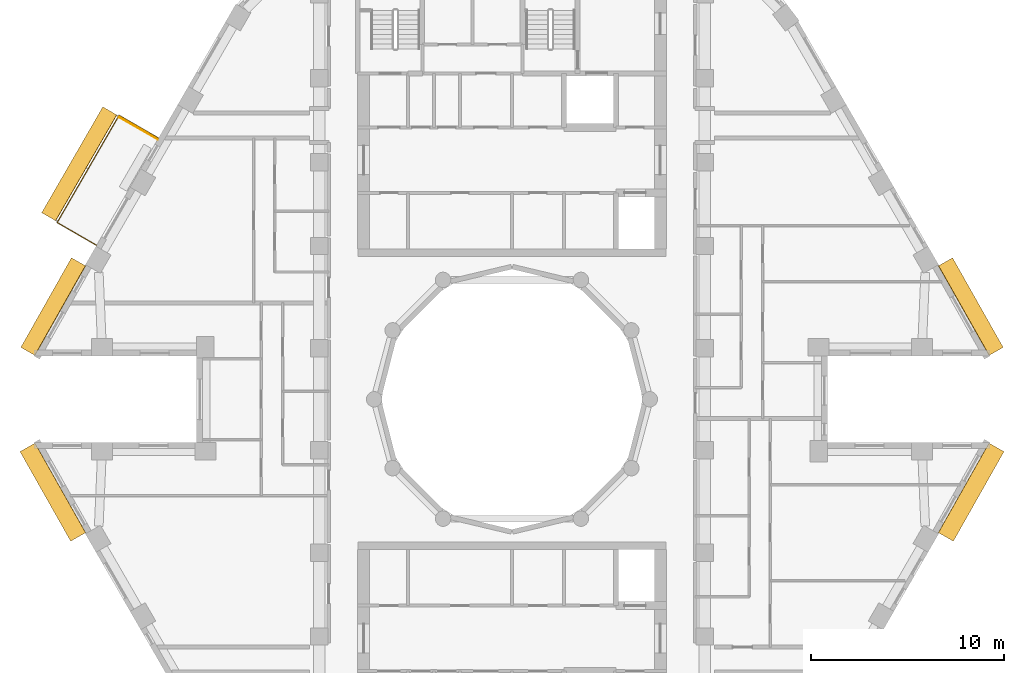
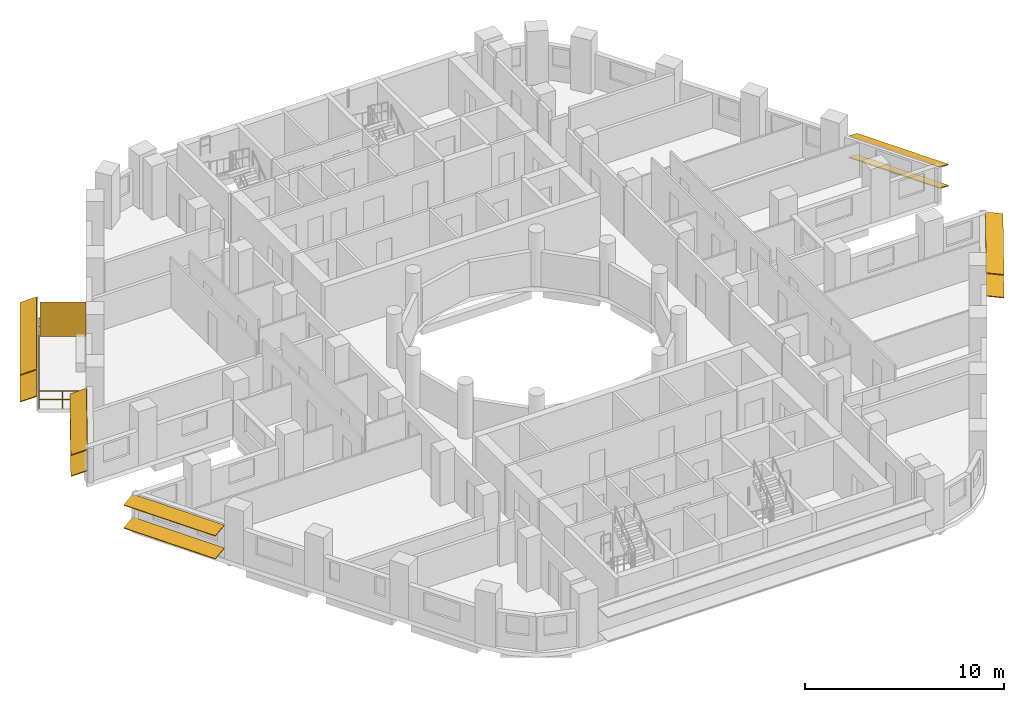
# One storey, part 12 of 13: 11 shading devices, 1 railing.
"""IFC4 building model written with IfcOpenShell, lengths in metres."""

import ifcopenshell
import ifcopenshell.guid

model = None  # the IFC model being written
_history = None  # IfcOwnerHistory: only IFC2X3 demands one
_inside = {}  # id of a spatial element -> (the spatial element, [elements in it])
_under = {}  # id of a project, library or spatial element -> (it, [spatial elements below it])
_declared = {}  # id of a project -> (the project, [libraries it declares])
_typed = {}  # id of a type object -> (the type object, [elements of that type])
_made_of = {}  # id of a material, layer set ... -> (it, [elements and type objects made of it])


def new_model(schema):
    """Start an empty IFC model of exactly this schema.

    Asked for "IFC4X3", IfcOpenShell would pick the latest addendum, in which some entities
    have other attributes; the version numbers below select the first issue.
    IFC2X3 requires an IfcOwnerHistory on every rooted entity: one is made here for all.
    """
    global model, _history
    if schema == "IFC4X3":
        model = ifcopenshell.file(schema_version=(4, 3, 0, 0))
    else:
        model = ifcopenshell.file(schema=schema)
    _inside.clear()
    _under.clear()
    _declared.clear()
    _typed.clear()
    _made_of.clear()
    _history = None
    if model.schema == "IFC2X3":
        org = make("IfcOrganization", Name="unknown")
        user = make(
            "IfcPersonAndOrganization",
            ThePerson=make("IfcPerson", FamilyName="unknown"),
            TheOrganization=org,
        )
        app = make(
            "IfcApplication",
            ApplicationDeveloper=org,
            Version="unknown",
            ApplicationFullName="unknown",
            ApplicationIdentifier="unknown",
        )
        _history = make(
            "IfcOwnerHistory",
            OwningUser=user,
            OwningApplication=app,
            ChangeAction="ADDED",
            CreationDate=0,
        )
    return model


def make(cls, **values):
    """One entity of the class cls with the attributes given. An attribute that is None is left unset."""
    return model.create_entity(
        cls, **{name: value for name, value in values.items() if value is not None}
    )


def rooted(cls, **values):
    """An entity with a GlobalId (a new one), such as an element, a storey or a relation."""
    return make(cls, GlobalId=ifcopenshell.guid.new(), OwnerHistory=_history, **values)


def si_unit(unit_type, name, prefix=None):
    """IfcSIUnit, for example si_unit("LENGTHUNIT", "METRE", prefix="MILLI")."""
    return make("IfcSIUnit", UnitType=unit_type, Prefix=prefix, Name=name)


def assignment(units):
    """IfcUnitAssignment: the units of a project."""
    return None if units is None else make("IfcUnitAssignment", Units=units)


def point(xyz):
    """IfcCartesianPoint."""
    return None if xyz is None else make("IfcCartesianPoint", Coordinates=xyz)


def direction(xyz):
    """IfcDirection."""
    return None if xyz is None else make("IfcDirection", DirectionRatios=xyz)


def frame(location, z_axis=None, x_axis=None):
    """IfcAxis2Placement3D, a coordinate frame: its origin and axes. An axis left out is left unset."""
    return make(
        "IfcAxis2Placement3D",
        Location=point(location),
        Axis=direction(z_axis),
        RefDirection=direction(x_axis),
    )


def frame_2d(location, x_axis=None):
    """IfcAxis2Placement2D, a coordinate frame in the plane: its origin and x axis."""
    return make(
        "IfcAxis2Placement2D", Location=point(location), RefDirection=direction(x_axis)
    )


def origin():
    """The frame at (0, 0, 0) with its axes left unset."""
    return frame((0.0, 0.0, 0.0))


def origin_2d():
    """The frame at (0, 0) in the plane with its x axis left unset."""
    return frame_2d((0.0, 0.0))


def place(relative_to, where):
    """IfcLocalPlacement: puts the frame where relative to a parent placement (None: the world)."""
    return make(
        "IfcLocalPlacement", PlacementRelTo=relative_to, RelativePlacement=where
    )


def context(
    kind, dimensions, precision=None, world=None, true_north=None, identifier=None
):
    """IfcGeometricRepresentationContext, for example the 3D "Model" context."""
    return make(
        "IfcGeometricRepresentationContext",
        ContextIdentifier=identifier,
        ContextType=kind,
        CoordinateSpaceDimension=dimensions,
        Precision=precision,
        WorldCoordinateSystem=world,
        TrueNorth=true_north,
    )


def subcontext(parent, identifier, kind, view, scale=None):
    """IfcGeometricRepresentationSubContext, for example "Body" below "Model"."""
    return make(
        "IfcGeometricRepresentationSubContext",
        ContextIdentifier=identifier,
        ContextType=kind,
        ParentContext=parent,
        TargetScale=scale,
        TargetView=view,
    )


def project(units=None, contexts=None):
    """IfcProject with its units and contexts."""
    return rooted(
        "IfcProject",
        Name="project",
        RepresentationContexts=contexts,
        UnitsInContext=assignment(units),
    )


def spatial(cls, under=None, at=None, **own):
    """A site, building, storey or space (cls), placed at a placement, below another one or the project."""
    s = rooted(cls, ObjectPlacement=at, **own)
    if under is not None:
        _under.setdefault(under.id(), (under, []))[1].append(s)
    return s


def profile(cls, at=None, kind="AREA", **sizes):
    """A parametric profile (cls). Its sizes go by their IFC names, for example OverallWidth=200.0."""
    return make(cls, ProfileType=kind, Position=at, **sizes)


def rectangle(**sizes):
    """IfcRectangleProfileDef."""
    return profile("IfcRectangleProfileDef", **sizes)


def circle(**sizes):
    """IfcCircleProfileDef."""
    return profile("IfcCircleProfileDef", **sizes)


def extrude(swept, where, along, depth):
    """IfcExtrudedAreaSolid: the profile swept, set in the frame where, extruded along a direction by depth."""
    return make(
        "IfcExtrudedAreaSolid",
        SweptArea=swept,
        Position=where,
        ExtrudedDirection=direction(along),
        Depth=depth,
    )


def shape(context_of_items, identifier, shape_type, items):
    """IfcShapeRepresentation: the items that make up one representation, for example the "Body"."""
    return make(
        "IfcShapeRepresentation",
        ContextOfItems=context_of_items,
        RepresentationIdentifier=identifier,
        RepresentationType=shape_type,
        Items=items,
    )


def material(Name=None, Category=None):
    """IfcMaterial."""
    return make("IfcMaterial", Name=Name, Category=Category)


def layer(
    of_material, thickness, ventilated=None, Name=None, Category=None, Priority=None
):
    """IfcMaterialLayer: one layer of a wall or slab, of a material (None: an air gap)."""
    return make(
        "IfcMaterialLayer",
        Material=of_material,
        LayerThickness=thickness,
        IsVentilated=ventilated,
        Name=Name,
        Category=Category,
        Priority=Priority,
    )


def layer_set(layers, Name=None):
    """IfcMaterialLayerSet."""
    return make("IfcMaterialLayerSet", MaterialLayers=layers, LayerSetName=Name)


def material_profile(
    of_material, cross_section, Name=None, Category=None, Priority=None
):
    """IfcMaterialProfile: a cross section and its material."""
    return make(
        "IfcMaterialProfile",
        Name=Name,
        Material=of_material,
        Profile=cross_section,
        Priority=Priority,
        Category=Category,
    )


def profile_set(profiles, Name=None, composite=None):
    """IfcMaterialProfileSet."""
    return make(
        "IfcMaterialProfileSet",
        Name=Name,
        MaterialProfiles=profiles,
        CompositeProfile=composite,
    )


def made_of(thing, what):
    """Note that an element or type object is made of a material, layer set ...; save() writes the relation."""
    if what is not None:
        _made_of.setdefault(what.id(), (what, []))[1].append(thing)
    return thing


def type_object(cls, material=None, **own):
    """A type object (cls), such as IfcWallType, which elements share."""
    return made_of(rooted(cls, **own), material)


def element(
    cls,
    number,
    at=None,
    inside=None,
    cuts=None,
    type_object=None,
    material=None,
    context=None,
    identifier="Body",
    shape_type=None,
    held_by="IfcProductDefinitionShape",
    body=None,
    shapes=None,
    **own,
):
    """One element of the class cls, such as IfcWall. Its Tag is "e" and its number.

    at: its placement. inside: the storey or other place that contains it. cuts: it is an
    opening in that element (IfcRelVoidsElement). A single representation is given by context,
    identifier, shape_type and body (its items); several are given by shapes. held_by: the class
    of the entity that holds the representations. save() writes the other relations.
    """
    e = rooted(cls, Tag="e%d" % number, ObjectPlacement=at, **own)
    if body is not None:
        shapes = [shape(context, identifier, shape_type, body)]
    if shapes is not None:
        e.Representation = make(held_by, Representations=shapes)
    if inside is not None:
        _inside.setdefault(inside.id(), (inside, []))[1].append(e)
    if cuts is not None:
        rooted(
            "IfcRelVoidsElement", RelatingBuildingElement=cuts, RelatedOpeningElement=e
        )
    if type_object is not None:
        _typed.setdefault(type_object.id(), (type_object, []))[1].append(e)
    return made_of(e, material)


def aggregate(whole, parts):
    """IfcRelAggregates: a whole, such as a stair, and the parts it consists of."""
    return rooted("IfcRelAggregates", RelatingObject=whole, RelatedObjects=parts)


def save(model, path):
    """Write the relations noted so far, then the file.

    IfcRelAggregates (storeys below a building ...), IfcRelContainedInSpatialStructure (elements
    in a storey), IfcRelDefinesByType, IfcRelAssociatesMaterial and IfcRelDeclares: one each for
    every whole, place, type object, material and project.
    """
    for whole, parts in _under.values():
        aggregate(whole, parts)
    for where, things in _inside.values():
        rooted(
            "IfcRelContainedInSpatialStructure",
            RelatedElements=things,
            RelatingStructure=where,
        )
    for kind, things in _typed.values():
        rooted("IfcRelDefinesByType", RelatedObjects=things, RelatingType=kind)
    for what, things in _made_of.values():
        rooted("IfcRelAssociatesMaterial", RelatedObjects=things, RelatingMaterial=what)
    for by, libraries in _declared.values():
        rooted("IfcRelDeclares", RelatingContext=by, RelatedDefinitions=libraries)
    model.write(path)


model = new_model("IFC4")

# Units and contexts
model_context = context("Model", 3, precision=1e-05, world=origin(), true_north=direction((0.0, 1.0)))
body_context = subcontext(model_context, "Body", "Model", "MODEL_VIEW")
ifc_project = project(units=[si_unit("LENGTHUNIT", "METRE"), si_unit("AREAUNIT", "SQUARE_METRE"), si_unit("VOLUMEUNIT", "CUBIC_METRE"), si_unit("PLANEANGLEUNIT", "RADIAN"), si_unit("MASSUNIT", "GRAM", prefix="KILO")], contexts=[model_context])

# Site, building, storey
site_placement = place(None, origin())
site = spatial("IfcSite", under=ifc_project, at=site_placement, CompositionType="ELEMENT")
building_placement = place(site_placement, origin())
building = spatial("IfcBuilding", under=site, at=building_placement, Name="Nakaniwa Court", CompositionType="ELEMENT")
storey_placement = place(building_placement, frame((0.0, 0.0, 269.10009765625)))
storey = spatial("IfcBuildingStorey", under=building, at=storey_placement, Name="L71", CompositionType="ELEMENT", Elevation=269.10009765625)

# Railing
ifc_material_1 = material(Name="Black powder-coated steel flat bar balustrade S275", Category="steel")
railing_type = type_object("IfcRailingType", Name="Black metal balcony guard 1100", PredefinedType="GUARDRAIL", material=ifc_material_1)
railing_placement = place(storey_placement, frame((61.666015625, 93.544677734375, -0.050048828125)))
element("IfcRailing", 1, at=railing_placement, inside=storey, type_object=railing_type, Name="L71 balcony guard 01", PredefinedType="GUARDRAIL", context=body_context, shape_type="SweptSolid", body=[
    extrude(circle(Radius=0.02392578125, at=origin_2d()), frame((0.0, 0.0, 1.076171875), z_axis=(-0.866051224006, 0.499955275397, 0.0), x_axis=(-0.499955275397, -0.866051224006, 0.0)), (0.0, 0.0, 1.0), 2.360107421875),
    extrude(circle(Radius=0.02392578125, at=origin_2d()), frame((0.0, 0.0, 0.550048828125), z_axis=(-0.866051224006, 0.499955275397, 0.0), x_axis=(-0.499955275397, -0.866051224006, 0.0)), (0.0, 0.0, 1.0), 2.360107421875),
    extrude(circle(Radius=0.02392578125, at=origin_2d()), frame((-2.0439453125, 1.179931640625, 1.076171875), z_axis=(-0.499975954304, -0.866039286129, 0.0), x_axis=(0.866039286129, -0.499975954304, 0.0)), (0.0, 0.0, 1.0), 6.419189453125),
    extrude(circle(Radius=0.02392578125, at=origin_2d()), frame((-2.0439453125, 1.179931640625, 0.550048828125), z_axis=(-0.499975954304, -0.866039286129, 0.0), x_axis=(0.866039286129, -0.499975954304, 0.0)), (0.0, 0.0, 1.0), 6.419189453125),
    extrude(circle(Radius=0.02392578125, at=origin_2d()), frame((-5.25341796875, -4.37939453125, 1.076171875), z_axis=(0.866025363618, -0.50000006957, 0.0), x_axis=(0.50000006957, 0.866025363618, 0.0)), (0.0, 0.0, 1.0), 2.35986328125),
    extrude(circle(Radius=0.02392578125, at=origin_2d()), frame((-5.25341796875, -4.37939453125, 0.550048828125), z_axis=(0.866025363618, -0.50000006957, 0.0), x_axis=(0.50000006957, 0.866025363618, 0.0)), (0.0, 0.0, 1.0), 2.35986328125),
    extrude(circle(Radius=0.02099609375, at=origin_2d()), origin(), (0.0, 0.0, 1.0), 1.052001953125),
    extrude(circle(Radius=0.02099609375, at=origin_2d()), frame((-1.02197265625, 0.58984375, 0.0)), (0.0, 0.0, 1.0), 1.052001953125),
    extrude(circle(Radius=0.02099609375, at=origin_2d()), frame((-2.0439453125, 1.179931640625, 0.0)), (0.0, 0.0, 1.0), 1.052001953125),
    extrude(circle(Radius=0.02099609375, at=origin_2d()), frame((-2.578857421875, 0.25341796875, 0.0)), (0.0, 0.0, 1.0), 1.052001953125),
    extrude(circle(Radius=0.02099609375, at=origin_2d()), frame((-3.11376953125, -0.673095703125, 0.0)), (0.0, 0.0, 1.0), 1.052001953125),
    extrude(circle(Radius=0.02099609375, at=origin_2d()), frame((-3.648681640625, -1.599609375, 0.0)), (0.0, 0.0, 1.0), 1.052001953125),
    extrude(circle(Radius=0.02099609375, at=origin_2d()), frame((-4.18359375, -2.5263671875, 0.0)), (0.0, 0.0, 1.0), 1.052001953125),
    extrude(circle(Radius=0.02099609375, at=origin_2d()), frame((-4.718505859375, -3.452880859375, 0.0)), (0.0, 0.0, 1.0), 1.052001953125),
    extrude(circle(Radius=0.02099609375, at=origin_2d()), frame((-5.25341796875, -4.37939453125, 0.0)), (0.0, 0.0, 1.0), 1.052001953125),
    extrude(circle(Radius=0.02099609375, at=origin_2d()), frame((-4.2314453125, -4.96923828125, 0.0)), (0.0, 0.0, 1.0), 1.052001953125),
    extrude(circle(Radius=0.02099609375, at=origin_2d()), frame((-3.209716796875, -5.559326171875, 0.0)), (0.0, 0.0, 1.0), 1.052001953125),
])

# Shading devices
ifc_material_2 = material(Name="Black powder-coated aluminium slat screen", Category="aluminium")
ifc_layer = layer(ifc_material_2, 0.0400390625)
ifc_layer_set = layer_set([ifc_layer], Name="Black powder-coated aluminium slat screen")
shading_device_type_1 = type_object("IfcShadingDeviceType", Name="Koshi screen black metal", PredefinedType="USERDEFINED", material=ifc_layer_set)
shading_device_placement = place(storey_placement, frame((60.62548828125, 94.052734375, -0.050048828125), z_axis=(0.0, 0.0, 1.0), x_axis=(-0.499986396443, -0.866033257659, 0.0)))
element("IfcShadingDevice", 2, at=shading_device_placement, inside=storey, type_object=shading_device_type_1, Name="L71 balcony SCREEN 01 W", ObjectType="KOSHI SCREEN", PredefinedType="USERDEFINED", context=body_context, shape_type="SweptSolid", body=[
    extrude(rectangle(XDim=0.0400390625, YDim=2.31005859375, at=origin_2d()), origin(), (0.0, 0.0, 1.0), 2.10009765625),
])
ifc_material_3 = material(Name="Perforated charcoal ceramic louvre blade")
ifc_material_profile = material_profile(ifc_material_3, rectangle(XDim=0.89990234375, YDim=0.050048828125, at=origin_2d()), Name="Perforated ceramic louvre blade")
ifc_profile_set = profile_set([ifc_material_profile], Name="Perforated charcoal ceramic louvre blade")
shading_device_type_2 = type_object("IfcShadingDeviceType", Name="Perforated ceramic louvre blade", PredefinedType="JALOUSIE", material=ifc_profile_set)
for number, where, z_axis, x_axis, name in (
    (3, (59.147216796875, 94.95263671875, 0.5), (-0.499974711147, -0.866040003818, 0.0), (0.800116633864, -0.461916402402, 0.382683432365), "L71 perforated ceramic louvre blade 01 1"),
    (4, (59.147216796875, 94.95263671875, 2.14990234375), (-0.499974711147, -0.866040003818, 0.0), (0.800116633864, -0.461916402402, 0.382683432365), "L71 perforated ceramic louvre blade 01 2"),
):
    element("IfcShadingDevice", number, at=place(storey_placement, frame(where, z_axis=z_axis, x_axis=x_axis)), inside=storey, type_object=shading_device_type_2, Name=name, PredefinedType="JALOUSIE", context=body_context, shape_type="SweptSolid", body=[
        extrude(rectangle(XDim=0.89990234375, YDim=0.050048828125, at=origin_2d()), origin(), (0.0, 0.0, 1.0), 6.339111328125),
    ])
for number, where, z_axis, x_axis, name in (
    (5, (105.103759765625, 82.480224609375, 0.5498046875), (-0.492088911474, 0.870544946114, 0.0), (-0.804858877011, -0.454958851288, 0.38107037635), "L71 perforated ceramic louvre blade w02 1"),
    (6, (105.103759765625, 82.480224609375, 1.84521484375), (-0.492088911474, 0.870544946114, 0.0), (-0.804858877011, -0.454958851288, 0.38107037635), "L71 perforated ceramic louvre blade w02 2"),
    (7, (57.5224609375, 87.126220703125, 0.5498046875), (-0.492088911474, -0.870544946114, 0.0), (0.804858877011, -0.454958851288, 0.38107037635), "L71 perforated ceramic louvre blade w14 1"),
    (8, (57.5224609375, 87.126220703125, 1.84521484375), (-0.492088911474, -0.870544946114, 0.0), (0.804858877011, -0.454958851288, 0.38107037635), "L71 perforated ceramic louvre blade w14 2"),
):
    element("IfcShadingDevice", number, at=place(storey_placement, frame(where, z_axis=z_axis, x_axis=x_axis)), inside=storey, type_object=shading_device_type_2, Name=name, PredefinedType="JALOUSIE", context=body_context, shape_type="SweptSolid", body=[
        extrude(rectangle(XDim=0.89990234375, YDim=0.050048828125, at=origin_2d()), origin(), (0.0, 0.0, 1.0), 5.3369140625),
    ])
for number, where, z_axis, x_axis, name in (
    (9, (54.87548828125, 77.508056640625, 0.5498046875), (0.492108509021, -0.870533868008, 0.0), (0.862886698285, 0.487785601632, 0.132256390257), "L71 perforated ceramic louvre blade w20 1"),
    (10, (54.87548828125, 77.508056640625, 1.95556640625), (0.492108509021, -0.870533868008, 0.0), (0.862886698285, 0.487785601632, 0.132256390257), "L71 perforated ceramic louvre blade w20 2"),
    (11, (102.498291015625, 72.8623046875, 0.5498046875), (0.492108509021, 0.870533868008, 0.0), (-0.862886698285, 0.487785601632, 0.132256390257), "L71 perforated ceramic louvre blade w32 1"),
    (12, (102.498291015625, 72.8623046875, 1.95556640625), (0.492108509021, 0.870533868008, 0.0), (-0.862886698285, 0.487785601632, 0.132256390257), "L71 perforated ceramic louvre blade w32 2"),
):
    element("IfcShadingDevice", number, at=place(storey_placement, frame(where, z_axis=z_axis, x_axis=x_axis)), inside=storey, type_object=shading_device_type_2, Name=name, PredefinedType="JALOUSIE", context=body_context, shape_type="SweptSolid", body=[
        extrude(rectangle(XDim=0.89990234375, YDim=0.050048828125, at=origin_2d()), origin(), (0.0, 0.0, 1.0), 5.336669921875),
    ])

save(model, "model.ifc")
